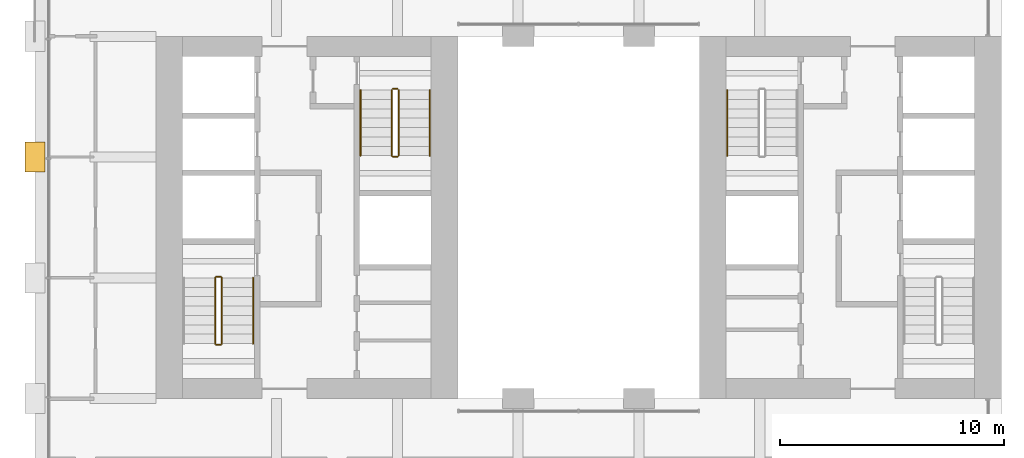
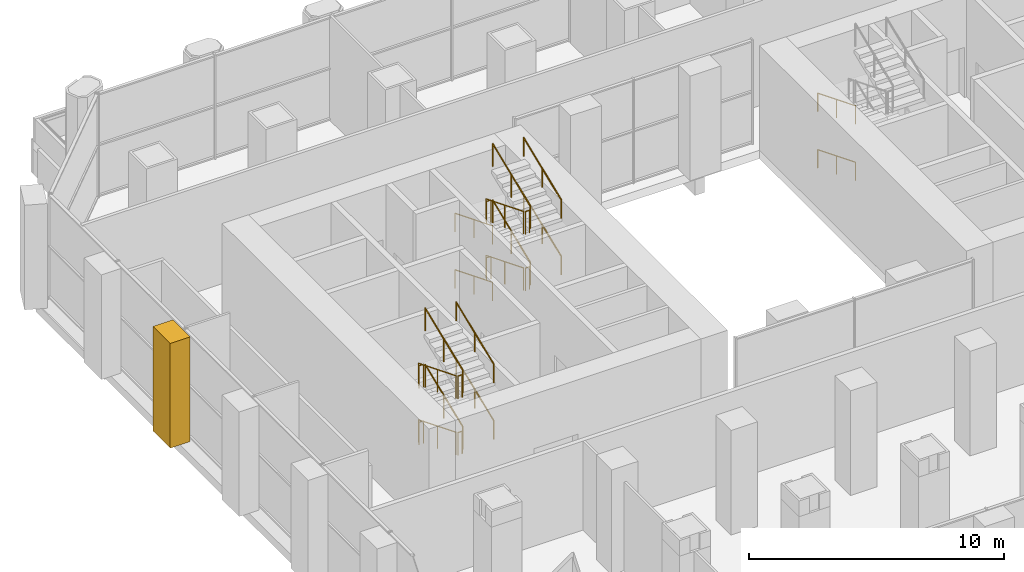
# One storey, part 20 of 27: 24 railings, 1 covering.
"""IFC4 building model written with IfcOpenShell, lengths in metres."""

import ifcopenshell
import ifcopenshell.guid

model = None  # the IFC model being written
_history = None  # IfcOwnerHistory: only IFC2X3 demands one
_inside = {}  # id of a spatial element -> (the spatial element, [elements in it])
_under = {}  # id of a project, library or spatial element -> (it, [spatial elements below it])
_declared = {}  # id of a project -> (the project, [libraries it declares])
_typed = {}  # id of a type object -> (the type object, [elements of that type])
_made_of = {}  # id of a material, layer set ... -> (it, [elements and type objects made of it])


def new_model(schema):
    """Start an empty IFC model of exactly this schema.

    Asked for "IFC4X3", IfcOpenShell would pick the latest addendum, in which some entities
    have other attributes; the version numbers below select the first issue.
    IFC2X3 requires an IfcOwnerHistory on every rooted entity: one is made here for all.
    """
    global model, _history
    if schema == "IFC4X3":
        model = ifcopenshell.file(schema_version=(4, 3, 0, 0))
    else:
        model = ifcopenshell.file(schema=schema)
    _inside.clear()
    _under.clear()
    _declared.clear()
    _typed.clear()
    _made_of.clear()
    _history = None
    if model.schema == "IFC2X3":
        org = make("IfcOrganization", Name="unknown")
        user = make(
            "IfcPersonAndOrganization",
            ThePerson=make("IfcPerson", FamilyName="unknown"),
            TheOrganization=org,
        )
        app = make(
            "IfcApplication",
            ApplicationDeveloper=org,
            Version="unknown",
            ApplicationFullName="unknown",
            ApplicationIdentifier="unknown",
        )
        _history = make(
            "IfcOwnerHistory",
            OwningUser=user,
            OwningApplication=app,
            ChangeAction="ADDED",
            CreationDate=0,
        )
    return model


def make(cls, **values):
    """One entity of the class cls with the attributes given. An attribute that is None is left unset."""
    return model.create_entity(
        cls, **{name: value for name, value in values.items() if value is not None}
    )


def rooted(cls, **values):
    """An entity with a GlobalId (a new one), such as an element, a storey or a relation."""
    return make(cls, GlobalId=ifcopenshell.guid.new(), OwnerHistory=_history, **values)


def si_unit(unit_type, name, prefix=None):
    """IfcSIUnit, for example si_unit("LENGTHUNIT", "METRE", prefix="MILLI")."""
    return make("IfcSIUnit", UnitType=unit_type, Prefix=prefix, Name=name)


def assignment(units):
    """IfcUnitAssignment: the units of a project."""
    return None if units is None else make("IfcUnitAssignment", Units=units)


def point(xyz):
    """IfcCartesianPoint."""
    return None if xyz is None else make("IfcCartesianPoint", Coordinates=xyz)


def direction(xyz):
    """IfcDirection."""
    return None if xyz is None else make("IfcDirection", DirectionRatios=xyz)


def frame(location, z_axis=None, x_axis=None):
    """IfcAxis2Placement3D, a coordinate frame: its origin and axes. An axis left out is left unset."""
    return make(
        "IfcAxis2Placement3D",
        Location=point(location),
        Axis=direction(z_axis),
        RefDirection=direction(x_axis),
    )


def frame_2d(location, x_axis=None):
    """IfcAxis2Placement2D, a coordinate frame in the plane: its origin and x axis."""
    return make(
        "IfcAxis2Placement2D", Location=point(location), RefDirection=direction(x_axis)
    )


def origin():
    """The frame at (0, 0, 0) with its axes left unset."""
    return frame((0.0, 0.0, 0.0))


def origin_2d():
    """The frame at (0, 0) in the plane with its x axis left unset."""
    return frame_2d((0.0, 0.0))


def place(relative_to, where):
    """IfcLocalPlacement: puts the frame where relative to a parent placement (None: the world)."""
    return make(
        "IfcLocalPlacement", PlacementRelTo=relative_to, RelativePlacement=where
    )


def context(
    kind, dimensions, precision=None, world=None, true_north=None, identifier=None
):
    """IfcGeometricRepresentationContext, for example the 3D "Model" context."""
    return make(
        "IfcGeometricRepresentationContext",
        ContextIdentifier=identifier,
        ContextType=kind,
        CoordinateSpaceDimension=dimensions,
        Precision=precision,
        WorldCoordinateSystem=world,
        TrueNorth=true_north,
    )


def subcontext(parent, identifier, kind, view, scale=None):
    """IfcGeometricRepresentationSubContext, for example "Body" below "Model"."""
    return make(
        "IfcGeometricRepresentationSubContext",
        ContextIdentifier=identifier,
        ContextType=kind,
        ParentContext=parent,
        TargetScale=scale,
        TargetView=view,
    )


def project(units=None, contexts=None):
    """IfcProject with its units and contexts."""
    return rooted(
        "IfcProject",
        Name="project",
        RepresentationContexts=contexts,
        UnitsInContext=assignment(units),
    )


def spatial(cls, under=None, at=None, **own):
    """A site, building, storey or space (cls), placed at a placement, below another one or the project."""
    s = rooted(cls, ObjectPlacement=at, **own)
    if under is not None:
        _under.setdefault(under.id(), (under, []))[1].append(s)
    return s


def profile(cls, at=None, kind="AREA", **sizes):
    """A parametric profile (cls). Its sizes go by their IFC names, for example OverallWidth=200.0."""
    return make(cls, ProfileType=kind, Position=at, **sizes)


def rectangle(**sizes):
    """IfcRectangleProfileDef."""
    return profile("IfcRectangleProfileDef", **sizes)


def circle(**sizes):
    """IfcCircleProfileDef."""
    return profile("IfcCircleProfileDef", **sizes)


def extrude(swept, where, along, depth):
    """IfcExtrudedAreaSolid: the profile swept, set in the frame where, extruded along a direction by depth."""
    return make(
        "IfcExtrudedAreaSolid",
        SweptArea=swept,
        Position=where,
        ExtrudedDirection=direction(along),
        Depth=depth,
    )


def shape(context_of_items, identifier, shape_type, items):
    """IfcShapeRepresentation: the items that make up one representation, for example the "Body"."""
    return make(
        "IfcShapeRepresentation",
        ContextOfItems=context_of_items,
        RepresentationIdentifier=identifier,
        RepresentationType=shape_type,
        Items=items,
    )


def material(Name=None, Category=None):
    """IfcMaterial."""
    return make("IfcMaterial", Name=Name, Category=Category)


def made_of(thing, what):
    """Note that an element or type object is made of a material, layer set ...; save() writes the relation."""
    if what is not None:
        _made_of.setdefault(what.id(), (what, []))[1].append(thing)
    return thing


def type_object(cls, material=None, **own):
    """A type object (cls), such as IfcWallType, which elements share."""
    return made_of(rooted(cls, **own), material)


def element(
    cls,
    number,
    at=None,
    inside=None,
    cuts=None,
    type_object=None,
    material=None,
    context=None,
    identifier="Body",
    shape_type=None,
    held_by="IfcProductDefinitionShape",
    body=None,
    shapes=None,
    **own,
):
    """One element of the class cls, such as IfcWall. Its Tag is "e" and its number.

    at: its placement. inside: the storey or other place that contains it. cuts: it is an
    opening in that element (IfcRelVoidsElement). A single representation is given by context,
    identifier, shape_type and body (its items); several are given by shapes. held_by: the class
    of the entity that holds the representations. save() writes the other relations.
    """
    e = rooted(cls, Tag="e%d" % number, ObjectPlacement=at, **own)
    if body is not None:
        shapes = [shape(context, identifier, shape_type, body)]
    if shapes is not None:
        e.Representation = make(held_by, Representations=shapes)
    if inside is not None:
        _inside.setdefault(inside.id(), (inside, []))[1].append(e)
    if cuts is not None:
        rooted(
            "IfcRelVoidsElement", RelatingBuildingElement=cuts, RelatedOpeningElement=e
        )
    if type_object is not None:
        _typed.setdefault(type_object.id(), (type_object, []))[1].append(e)
    return made_of(e, material)


def aggregate(whole, parts):
    """IfcRelAggregates: a whole, such as a stair, and the parts it consists of."""
    return rooted("IfcRelAggregates", RelatingObject=whole, RelatedObjects=parts)


def save(model, path):
    """Write the relations noted so far, then the file.

    IfcRelAggregates (storeys below a building ...), IfcRelContainedInSpatialStructure (elements
    in a storey), IfcRelDefinesByType, IfcRelAssociatesMaterial and IfcRelDeclares: one each for
    every whole, place, type object, material and project.
    """
    for whole, parts in _under.values():
        aggregate(whole, parts)
    for where, things in _inside.values():
        rooted(
            "IfcRelContainedInSpatialStructure",
            RelatedElements=things,
            RelatingStructure=where,
        )
    for kind, things in _typed.values():
        rooted("IfcRelDefinesByType", RelatedObjects=things, RelatingType=kind)
    for what, things in _made_of.values():
        rooted("IfcRelAssociatesMaterial", RelatedObjects=things, RelatingMaterial=what)
    for by, libraries in _declared.values():
        rooted("IfcRelDeclares", RelatingContext=by, RelatedDefinitions=libraries)
    model.write(path)


model = new_model("IFC4")

# Units and contexts
model_context = context("Model", 3, precision=1e-05, world=origin(), true_north=direction((0.0, 1.0)))
body_context = subcontext(model_context, "Body", "Model", "MODEL_VIEW")
ifc_project = project(units=[si_unit("LENGTHUNIT", "METRE"), si_unit("AREAUNIT", "SQUARE_METRE"), si_unit("VOLUMEUNIT", "CUBIC_METRE"), si_unit("PLANEANGLEUNIT", "RADIAN"), si_unit("MASSUNIT", "GRAM", prefix="KILO")], contexts=[model_context])

# Site, building, storey
site_placement = place(None, origin())
site = spatial("IfcSite", under=ifc_project, at=site_placement, CompositionType="ELEMENT")
building_placement = place(site_placement, origin())
building = spatial("IfcBuilding", under=site, at=building_placement, Name="Tabaq Tower and Sports Hall", CompositionType="ELEMENT")
storey_placement = place(building_placement, frame((0.0, 0.0, 14.39990234375)))
storey = spatial("IfcBuildingStorey", under=building, at=storey_placement, Name="L02", CompositionType="ELEMENT", Elevation=14.39990234375)

# Covering
ifc_material_1 = material(Name="White precast concrete C60/75", Category="concrete")
covering_type = type_object("IfcCoveringType", Name="Pier cladding hung 1350x900", PredefinedType="CLADDING", material=ifc_material_1)
covering_placement = place(storey_placement, frame((0.0, 27.675048828125, 0.0), z_axis=(0.0, 0.0, 1.0), x_axis=(0.0, -1.0, 0.0)))
element("IfcCovering", 1, at=covering_placement, inside=storey, type_object=covering_type, Name="Hung pier cladding 0/5", PredefinedType="CLADDING", context=body_context, shape_type="SweptSolid", body=[
    extrude(rectangle(XDim=1.35009765625, YDim=0.89990234375, at=frame_2d((0.675048828125, 0.0))), origin(), (0.0, 0.0, 1.0), 5.0),
])

# Railings
ifc_material_2 = material(Name="Stainless steel", Category="steel")
railing_type_1 = type_object("IfcRailingType", Name="Stair guard", PredefinedType="GUARDRAIL", material=ifc_material_2)
railing_1_placement = place(storey_placement, frame((8.050048828125, 21.60009765625, 0.1689453125)))
element("IfcRailing", 2, at=railing_1_placement, inside=storey, type_object=railing_type_1, Name="L02 ST1 stair guard 1", PredefinedType="GUARDRAIL", context=body_context, shape_type="SweptSolid", body=[
    extrude(circle(Radius=0.02392578125, at=origin_2d()), frame((0.0, 0.0, 1.076171875), z_axis=(0.0, -0.927923022591, 0.372771866088), x_axis=(1.0, 0.0, 0.0)), (0.0, 0.0, 1.0), 3.16845703125),
    extrude(circle(Radius=0.02099609375, at=origin_2d()), origin(), (0.0, 0.0, 1.0), 1.052001953125),
    extrude(circle(Radius=0.02099609375, at=origin_2d()), frame((0.0, -1.47021484375, 0.590576171875)), (0.0, 0.0, 1.0), 1.052001953125),
    extrude(circle(Radius=0.02099609375, at=origin_2d()), frame((0.0, -2.940185546875, 1.18115234375)), (0.0, 0.0, 1.0), 1.052001953125),
])
railing_2_placement = place(storey_placement, frame((8.10009765625, 18.610107421875, 1.35009765625)))
element("IfcRailing", 3, at=railing_2_placement, inside=storey, type_object=railing_type_1, Name="L02 ST1 stair guard 2", PredefinedType="GUARDRAIL", context=body_context, shape_type="SweptSolid", body=[
    extrude(circle(Radius=0.02392578125, at=origin_2d()), frame((0.0, 0.0, 1.076171875), z_axis=(1.0, 0.0, 0.0), x_axis=(0.0, 1.0, 0.0)), (0.0, 0.0, 1.0), 0.199951171875),
    extrude(circle(Radius=0.02099609375, at=origin_2d()), origin(), (0.0, 0.0, 1.0), 1.052001953125),
    extrude(circle(Radius=0.02099609375, at=origin_2d()), frame((0.199951171875, 0.0, 0.0)), (0.0, 0.0, 1.0), 1.052001953125),
])
railing_3_placement = place(storey_placement, frame((8.35009765625, 18.659912109375, 1.518798828125)))
element("IfcRailing", 4, at=railing_3_placement, inside=storey, type_object=railing_type_1, Name="L02 ST1 stair guard 3", PredefinedType="GUARDRAIL", context=body_context, shape_type="SweptSolid", body=[
    extrude(circle(Radius=0.02392578125, at=origin_2d()), frame((0.0, 0.0, 1.076171875), z_axis=(0.0, 0.927896368829, 0.372838207155), x_axis=(-1.0, 0.0, 0.0)), (0.0, 0.0, 1.0), 3.168701171875),
    extrude(circle(Radius=0.02099609375, at=origin_2d()), origin(), (0.0, 0.0, 1.0), 1.052001953125),
    extrude(circle(Radius=0.02099609375, at=origin_2d()), frame((0.0, 1.47021484375, 0.5908203125)), (0.0, 0.0, 1.0), 1.052001953125),
    extrude(circle(Radius=0.02099609375, at=origin_2d()), frame((0.0, 2.940185546875, 1.181396484375)), (0.0, 0.0, 1.0), 1.052001953125),
])
railing_4_placement = place(storey_placement, frame((8.10009765625, 21.64990234375, 2.7001953125)))
element("IfcRailing", 5, at=railing_4_placement, inside=storey, type_object=railing_type_1, Name="L02 ST1 stair guard 4", PredefinedType="GUARDRAIL", context=body_context, shape_type="SweptSolid", body=[
    extrude(circle(Radius=0.02392578125, at=origin_2d()), frame((0.0, 0.0, 1.076171875), z_axis=(1.0, 0.0, 0.0), x_axis=(0.0, 1.0, 0.0)), (0.0, 0.0, 1.0), 0.199951171875),
    extrude(circle(Radius=0.02099609375, at=origin_2d()), origin(), (0.0, 0.0, 1.0), 1.052001953125),
    extrude(circle(Radius=0.02099609375, at=origin_2d()), frame((0.199951171875, 0.0, 0.0)), (0.0, 0.0, 1.0), 1.052001953125),
])
railing_5_placement = place(storey_placement, frame((8.050048828125, 21.60009765625, 2.868896484375)))
element("IfcRailing", 6, at=railing_5_placement, inside=storey, type_object=railing_type_1, Name="L02 ST1 stair guard 5", PredefinedType="GUARDRAIL", context=body_context, shape_type="SweptSolid", body=[
    extrude(circle(Radius=0.02392578125, at=origin_2d()), frame((0.0, 0.0, 1.076171875), z_axis=(0.0, -0.927923022591, 0.372771866088), x_axis=(1.0, 0.0, 0.0)), (0.0, 0.0, 1.0), 3.16845703125),
    extrude(circle(Radius=0.02099609375, at=origin_2d()), origin(), (0.0, 0.0, 1.0), 1.052001953125),
    extrude(circle(Radius=0.02099609375, at=origin_2d()), frame((0.0, -1.47021484375, 0.590576171875)), (0.0, 0.0, 1.0), 1.052001953125),
    extrude(circle(Radius=0.02099609375, at=origin_2d()), frame((0.0, -2.940185546875, 1.18115234375)), (0.0, 0.0, 1.0), 1.052001953125),
])
railing_6_placement = place(storey_placement, frame((8.10009765625, 18.610107421875, 4.050048828125)))
element("IfcRailing", 7, at=railing_6_placement, inside=storey, type_object=railing_type_1, Name="L02 ST1 stair guard 6", PredefinedType="GUARDRAIL", context=body_context, shape_type="SweptSolid", body=[
    extrude(circle(Radius=0.02392578125, at=origin_2d()), frame((0.0, 0.0, 1.076171875), z_axis=(1.0, 0.0, 0.0), x_axis=(0.0, 1.0, 0.0)), (0.0, 0.0, 1.0), 0.199951171875),
    extrude(circle(Radius=0.02099609375, at=origin_2d()), origin(), (0.0, 0.0, 1.0), 1.052001953125),
    extrude(circle(Radius=0.02099609375, at=origin_2d()), frame((0.199951171875, 0.0, 0.0)), (0.0, 0.0, 1.0), 1.052001953125),
])
railing_7_placement = place(storey_placement, frame((8.35009765625, 18.659912109375, 4.21875)))
element("IfcRailing", 8, at=railing_7_placement, inside=storey, type_object=railing_type_1, Name="L02 ST1 stair guard 7", PredefinedType="GUARDRAIL", context=body_context, shape_type="SweptSolid", body=[
    extrude(circle(Radius=0.02392578125, at=origin_2d()), frame((0.0, 0.0, 1.076171875), z_axis=(0.0, 0.927896368829, 0.372838207155), x_axis=(-1.0, 0.0, 0.0)), (0.0, 0.0, 1.0), 3.168701171875),
    extrude(circle(Radius=0.02099609375, at=origin_2d()), origin(), (0.0, 0.0, 1.0), 1.052001953125),
    extrude(circle(Radius=0.02099609375, at=origin_2d()), frame((0.0, 1.47021484375, 0.5908203125)), (0.0, 0.0, 1.0), 1.052001953125),
    extrude(circle(Radius=0.02099609375, at=origin_2d()), frame((0.0, 2.940185546875, 1.181396484375)), (0.0, 0.0, 1.0), 1.052001953125),
])
railing_8_placement = place(storey_placement, frame((8.10009765625, 21.64990234375, 0.0)))
element("IfcRailing", 9, at=railing_8_placement, inside=storey, type_object=railing_type_1, Name="L02 ST1 stair guard 8", PredefinedType="GUARDRAIL", context=body_context, shape_type="SweptSolid", body=[
    extrude(circle(Radius=0.02392578125, at=origin_2d()), frame((0.0, 0.0, 1.076171875), z_axis=(1.0, 0.0, 0.0), x_axis=(0.0, 1.0, 0.0)), (0.0, 0.0, 1.0), 0.199951171875),
    extrude(circle(Radius=0.02099609375, at=origin_2d()), origin(), (0.0, 0.0, 1.0), 1.052001953125),
    extrude(circle(Radius=0.02099609375, at=origin_2d()), frame((0.199951171875, 0.0, 0.0)), (0.0, 0.0, 1.0), 1.052001953125),
])
railing_9_placement = place(storey_placement, frame((15.949951171875, 30.0, 0.1689453125)))
element("IfcRailing", 10, at=railing_9_placement, inside=storey, type_object=railing_type_1, Name="L02 ST2 stair guard 1", PredefinedType="GUARDRAIL", context=body_context, shape_type="SweptSolid", body=[
    extrude(circle(Radius=0.02392578125, at=origin_2d()), frame((0.0, 0.0, 1.076171875), z_axis=(0.0, -0.927912314548, 0.372798519995), x_axis=(1.0, 0.0, 0.0)), (0.0, 0.0, 1.0), 3.16845703125),
    extrude(circle(Radius=0.02099609375, at=origin_2d()), origin(), (0.0, 0.0, 1.0), 1.052001953125),
    extrude(circle(Radius=0.02099609375, at=origin_2d()), frame((0.0, -1.469970703125, 0.590576171875)), (0.0, 0.0, 1.0), 1.052001953125),
    extrude(circle(Radius=0.02099609375, at=origin_2d()), frame((0.0, -2.93994140625, 1.18115234375)), (0.0, 0.0, 1.0), 1.052001953125),
])
railing_10_placement = place(storey_placement, frame((16.0, 27.010009765625, 1.35009765625)))
element("IfcRailing", 11, at=railing_10_placement, inside=storey, type_object=railing_type_1, Name="L02 ST2 stair guard 2", PredefinedType="GUARDRAIL", context=body_context, shape_type="SweptSolid", body=[
    extrude(circle(Radius=0.02392578125, at=origin_2d()), frame((0.0, 0.0, 1.076171875), z_axis=(1.0, 0.0, 0.0), x_axis=(0.0, 1.0, 0.0)), (0.0, 0.0, 1.0), 0.199951171875),
    extrude(circle(Radius=0.02099609375, at=origin_2d()), origin(), (0.0, 0.0, 1.0), 1.052001953125),
    extrude(circle(Radius=0.02099609375, at=origin_2d()), frame((0.199951171875, 0.0, 0.0)), (0.0, 0.0, 1.0), 1.052001953125),
])
railing_11_placement = place(storey_placement, frame((16.25, 27.06005859375, 1.518798828125)))
element("IfcRailing", 12, at=railing_11_placement, inside=storey, type_object=railing_type_1, Name="L02 ST2 stair guard 3", PredefinedType="GUARDRAIL", context=body_context, shape_type="SweptSolid", body=[
    extrude(circle(Radius=0.02392578125, at=origin_2d()), frame((0.0, 0.0, 1.076171875), z_axis=(0.0, 0.927885657282, 0.372864864274), x_axis=(-1.0, 0.0, 0.0)), (0.0, 0.0, 1.0), 3.16845703125),
    extrude(circle(Radius=0.02099609375, at=origin_2d()), origin(), (0.0, 0.0, 1.0), 1.052001953125),
    extrude(circle(Radius=0.02099609375, at=origin_2d()), frame((0.0, 1.469970703125, 0.5908203125)), (0.0, 0.0, 1.0), 1.052001953125),
    extrude(circle(Radius=0.02099609375, at=origin_2d()), frame((0.0, 2.93994140625, 1.181396484375)), (0.0, 0.0, 1.0), 1.052001953125),
])
railing_12_placement = place(storey_placement, frame((16.0, 30.050048828125, 2.7001953125)))
element("IfcRailing", 13, at=railing_12_placement, inside=storey, type_object=railing_type_1, Name="L02 ST2 stair guard 4", PredefinedType="GUARDRAIL", context=body_context, shape_type="SweptSolid", body=[
    extrude(circle(Radius=0.02392578125, at=origin_2d()), frame((0.0, 0.0, 1.076171875), z_axis=(1.0, 0.0, 0.0), x_axis=(0.0, 1.0, 0.0)), (0.0, 0.0, 1.0), 0.199951171875),
    extrude(circle(Radius=0.02099609375, at=origin_2d()), origin(), (0.0, 0.0, 1.0), 1.052001953125),
    extrude(circle(Radius=0.02099609375, at=origin_2d()), frame((0.199951171875, 0.0, 0.0)), (0.0, 0.0, 1.0), 1.052001953125),
])
railing_13_placement = place(storey_placement, frame((15.949951171875, 30.0, 2.868896484375)))
element("IfcRailing", 14, at=railing_13_placement, inside=storey, type_object=railing_type_1, Name="L02 ST2 stair guard 5", PredefinedType="GUARDRAIL", context=body_context, shape_type="SweptSolid", body=[
    extrude(circle(Radius=0.02392578125, at=origin_2d()), frame((0.0, 0.0, 1.076171875), z_axis=(0.0, -0.927912314548, 0.372798519995), x_axis=(1.0, 0.0, 0.0)), (0.0, 0.0, 1.0), 3.16845703125),
    extrude(circle(Radius=0.02099609375, at=origin_2d()), origin(), (0.0, 0.0, 1.0), 1.052001953125),
    extrude(circle(Radius=0.02099609375, at=origin_2d()), frame((0.0, -1.469970703125, 0.590576171875)), (0.0, 0.0, 1.0), 1.052001953125),
    extrude(circle(Radius=0.02099609375, at=origin_2d()), frame((0.0, -2.93994140625, 1.18115234375)), (0.0, 0.0, 1.0), 1.052001953125),
])
railing_14_placement = place(storey_placement, frame((16.0, 27.010009765625, 4.050048828125)))
element("IfcRailing", 15, at=railing_14_placement, inside=storey, type_object=railing_type_1, Name="L02 ST2 stair guard 6", PredefinedType="GUARDRAIL", context=body_context, shape_type="SweptSolid", body=[
    extrude(circle(Radius=0.02392578125, at=origin_2d()), frame((0.0, 0.0, 1.076171875), z_axis=(1.0, 0.0, 0.0), x_axis=(0.0, 1.0, 0.0)), (0.0, 0.0, 1.0), 0.199951171875),
    extrude(circle(Radius=0.02099609375, at=origin_2d()), origin(), (0.0, 0.0, 1.0), 1.052001953125),
    extrude(circle(Radius=0.02099609375, at=origin_2d()), frame((0.199951171875, 0.0, 0.0)), (0.0, 0.0, 1.0), 1.052001953125),
])
railing_15_placement = place(storey_placement, frame((16.25, 27.06005859375, 4.21875)))
element("IfcRailing", 16, at=railing_15_placement, inside=storey, type_object=railing_type_1, Name="L02 ST2 stair guard 7", PredefinedType="GUARDRAIL", context=body_context, shape_type="SweptSolid", body=[
    extrude(circle(Radius=0.02392578125, at=origin_2d()), frame((0.0, 0.0, 1.076171875), z_axis=(0.0, 0.927885657282, 0.372864864274), x_axis=(-1.0, 0.0, 0.0)), (0.0, 0.0, 1.0), 3.16845703125),
    extrude(circle(Radius=0.02099609375, at=origin_2d()), origin(), (0.0, 0.0, 1.0), 1.052001953125),
    extrude(circle(Radius=0.02099609375, at=origin_2d()), frame((0.0, 1.469970703125, 0.5908203125)), (0.0, 0.0, 1.0), 1.052001953125),
    extrude(circle(Radius=0.02099609375, at=origin_2d()), frame((0.0, 2.93994140625, 1.181396484375)), (0.0, 0.0, 1.0), 1.052001953125),
])
railing_16_placement = place(storey_placement, frame((16.0, 30.050048828125, 0.0)))
element("IfcRailing", 17, at=railing_16_placement, inside=storey, type_object=railing_type_1, Name="L02 ST2 stair guard 8", PredefinedType="GUARDRAIL", context=body_context, shape_type="SweptSolid", body=[
    extrude(circle(Radius=0.02392578125, at=origin_2d()), frame((0.0, 0.0, 1.076171875), z_axis=(1.0, 0.0, 0.0), x_axis=(0.0, 1.0, 0.0)), (0.0, 0.0, 1.0), 0.199951171875),
    extrude(circle(Radius=0.02099609375, at=origin_2d()), origin(), (0.0, 0.0, 1.0), 1.052001953125),
    extrude(circle(Radius=0.02099609375, at=origin_2d()), frame((0.199951171875, 0.0, 0.0)), (0.0, 0.0, 1.0), 1.052001953125),
])
ifc_material_3 = material(Name="Stainless steel", Category="steel")
railing_type_2 = type_object("IfcRailingType", Name="Stair handrail", PredefinedType="HANDRAIL", material=ifc_material_3)
for number, where, name in (
    (18, (9.75, 18.659912109375, 1.518798828125), "L02 ST1 stair handrail 2"),
    (19, (9.75, 18.659912109375, 4.21875), "L02 ST1 stair handrail 4"),
):
    element("IfcRailing", number, at=place(storey_placement, frame(where)), inside=storey, type_object=railing_type_2, Name=name, PredefinedType="HANDRAIL", context=body_context, shape_type="SweptSolid", body=[
        extrude(circle(Radius=0.02392578125, at=origin_2d()), frame((0.0, 0.0, 0.8759765625), z_axis=(0.0, 0.927896368829, 0.372838207155), x_axis=(-1.0, 0.0, 0.0)), (0.0, 0.0, 1.0), 3.168701171875),
        extrude(circle(Radius=0.02099609375, at=origin_2d()), origin(), (0.0, 0.0, 1.0), 0.851806640625),
        extrude(circle(Radius=0.02099609375, at=origin_2d()), frame((0.0, 1.47021484375, 0.5908203125)), (0.0, 0.0, 1.0), 0.851806640625),
        extrude(circle(Radius=0.02099609375, at=origin_2d()), frame((0.0, 2.940185546875, 1.181396484375)), (0.0, 0.0, 1.0), 0.851806640625),
    ])
railing_17_placement = place(storey_placement, frame((14.550048828125, 30.0, 0.1689453125)))
element("IfcRailing", 20, at=railing_17_placement, inside=storey, type_object=railing_type_2, Name="L02 ST2 stair handrail 1", PredefinedType="HANDRAIL", context=body_context, shape_type="SweptSolid", body=[
    extrude(circle(Radius=0.02392578125, at=origin_2d()), frame((0.0, 0.0, 0.8759765625), z_axis=(0.0, -0.927912314548, 0.372798519995), x_axis=(1.0, 0.0, 0.0)), (0.0, 0.0, 1.0), 3.16845703125),
    extrude(circle(Radius=0.02099609375, at=origin_2d()), origin(), (0.0, 0.0, 1.0), 0.851806640625),
    extrude(circle(Radius=0.02099609375, at=origin_2d()), frame((0.0, -1.469970703125, 0.590576171875)), (0.0, 0.0, 1.0), 0.851806640625),
    extrude(circle(Radius=0.02099609375, at=origin_2d()), frame((0.0, -2.93994140625, 1.18115234375)), (0.0, 0.0, 1.0), 0.851806640625),
])
railing_18_placement = place(storey_placement, frame((17.64990234375, 27.06005859375, 1.518798828125)))
element("IfcRailing", 21, at=railing_18_placement, inside=storey, type_object=railing_type_2, Name="L02 ST2 stair handrail 2", PredefinedType="HANDRAIL", context=body_context, shape_type="SweptSolid", body=[
    extrude(circle(Radius=0.02392578125, at=origin_2d()), frame((0.0, 0.0, 0.8759765625), z_axis=(0.0, 0.927885657282, 0.372864864274), x_axis=(-1.0, 0.0, 0.0)), (0.0, 0.0, 1.0), 3.16845703125),
    extrude(circle(Radius=0.02099609375, at=origin_2d()), origin(), (0.0, 0.0, 1.0), 0.851806640625),
    extrude(circle(Radius=0.02099609375, at=origin_2d()), frame((0.0, 1.469970703125, 0.5908203125)), (0.0, 0.0, 1.0), 0.851806640625),
    extrude(circle(Radius=0.02099609375, at=origin_2d()), frame((0.0, 2.93994140625, 1.181396484375)), (0.0, 0.0, 1.0), 0.851806640625),
])
railing_19_placement = place(storey_placement, frame((14.550048828125, 30.0, 2.868896484375)))
element("IfcRailing", 22, at=railing_19_placement, inside=storey, type_object=railing_type_2, Name="L02 ST2 stair handrail 3", PredefinedType="HANDRAIL", context=body_context, shape_type="SweptSolid", body=[
    extrude(circle(Radius=0.02392578125, at=origin_2d()), frame((0.0, 0.0, 0.8759765625), z_axis=(0.0, -0.927912314548, 0.372798519995), x_axis=(1.0, 0.0, 0.0)), (0.0, 0.0, 1.0), 3.16845703125),
    extrude(circle(Radius=0.02099609375, at=origin_2d()), origin(), (0.0, 0.0, 1.0), 0.851806640625),
    extrude(circle(Radius=0.02099609375, at=origin_2d()), frame((0.0, -1.469970703125, 0.590576171875)), (0.0, 0.0, 1.0), 0.851806640625),
    extrude(circle(Radius=0.02099609375, at=origin_2d()), frame((0.0, -2.93994140625, 1.18115234375)), (0.0, 0.0, 1.0), 0.851806640625),
])
railing_20_placement = place(storey_placement, frame((17.64990234375, 27.06005859375, 4.21875)))
element("IfcRailing", 23, at=railing_20_placement, inside=storey, type_object=railing_type_2, Name="L02 ST2 stair handrail 4", PredefinedType="HANDRAIL", context=body_context, shape_type="SweptSolid", body=[
    extrude(circle(Radius=0.02392578125, at=origin_2d()), frame((0.0, 0.0, 0.8759765625), z_axis=(0.0, 0.927885657282, 0.372864864274), x_axis=(-1.0, 0.0, 0.0)), (0.0, 0.0, 1.0), 3.16845703125),
    extrude(circle(Radius=0.02099609375, at=origin_2d()), origin(), (0.0, 0.0, 1.0), 0.851806640625),
    extrude(circle(Radius=0.02099609375, at=origin_2d()), frame((0.0, 1.469970703125, 0.5908203125)), (0.0, 0.0, 1.0), 0.851806640625),
    extrude(circle(Radius=0.02099609375, at=origin_2d()), frame((0.0, 2.93994140625, 1.181396484375)), (0.0, 0.0, 1.0), 0.851806640625),
])
for number, where, name in (
    (24, (30.949951171875, 30.0, 0.1689453125), "L02 ST4 stair handrail 1"),
    (25, (30.949951171875, 30.0, 2.868896484375), "L02 ST4 stair handrail 3"),
):
    element("IfcRailing", number, at=place(storey_placement, frame(where)), inside=storey, type_object=railing_type_2, Name=name, PredefinedType="HANDRAIL", context=body_context, shape_type="SweptSolid", body=[
        extrude(circle(Radius=0.02392578125, at=origin_2d()), frame((0.0, 0.0, 0.8759765625), z_axis=(0.0, -0.927912314548, 0.372798519995), x_axis=(1.0, 0.0, 0.0)), (0.0, 0.0, 1.0), 3.16845703125),
        extrude(circle(Radius=0.02099609375, at=origin_2d()), origin(), (0.0, 0.0, 1.0), 0.851806640625),
        extrude(circle(Radius=0.02099609375, at=origin_2d()), frame((0.0, -1.469970703125, 0.590576171875)), (0.0, 0.0, 1.0), 0.851806640625),
        extrude(circle(Radius=0.02099609375, at=origin_2d()), frame((0.0, -2.93994140625, 1.18115234375)), (0.0, 0.0, 1.0), 0.851806640625),
    ])

save(model, "model.ifc")
